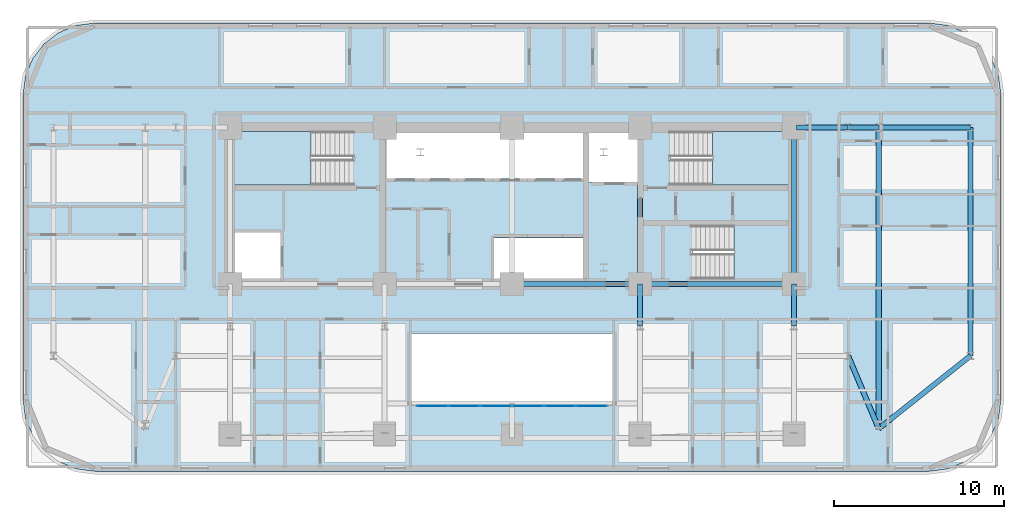
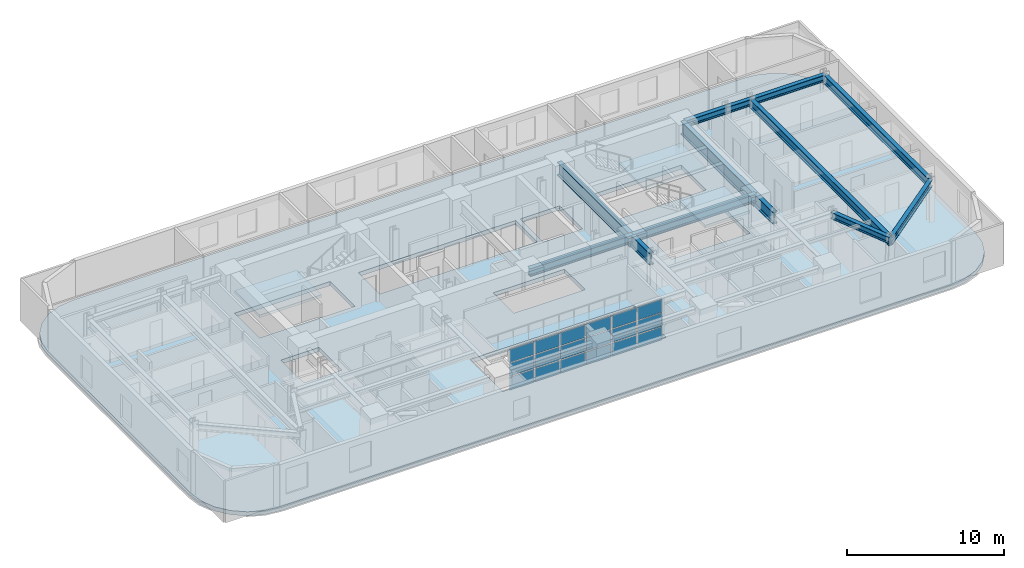
# One storey, part 6 of 16: 18 plates, 13 beams, 4 slabs, 4 elements without a shape of their own.
"""IFC4 building model written with IfcOpenShell, lengths in metres."""

from ifc_helpers import new_model, si_unit, direction, frame, origin, origin_2d, place, context, subcontext, project, spatial, polyline, rectangle, i_section, outline, extrude, material, layer, layer_set, material_profile, profile_set, type_object, element, aggregate, save


model = new_model("IFC4")

# Units and contexts
model_context = context("Model", 3, precision=1e-05, world=origin(), true_north=direction((0.0, 1.0)))
body_context = subcontext(model_context, "Body", "Model", "MODEL_VIEW")
ifc_project = project(units=[si_unit("LENGTHUNIT", "METRE"), si_unit("AREAUNIT", "SQUARE_METRE"), si_unit("VOLUMEUNIT", "CUBIC_METRE"), si_unit("PLANEANGLEUNIT", "RADIAN"), si_unit("MASSUNIT", "GRAM", prefix="KILO")], contexts=[model_context])

# Site, building, storey
site_placement = place(None, origin())
site = spatial("IfcSite", under=ifc_project, at=site_placement, CompositionType="ELEMENT")
building_placement = place(site_placement, origin())
building = spatial("IfcBuilding", under=site, at=building_placement, Name="Zarnavel Station Tower", CompositionType="ELEMENT")
storey_placement = place(building_placement, frame((0.0, 0.0, 79.300048828125)))
storey = spatial("IfcBuildingStorey", under=building, at=storey_placement, Name="L21", CompositionType="ELEMENT", Elevation=79.300048828125)

# Beams
ifc_material_1 = material(Name="Steel S355J2", Category="steel")
ifc_material_profile_1 = material_profile(ifc_material_1, i_section(OverallWidth=0.300048828125, OverallDepth=0.5, WebThickness=0.014404296875, FlangeThickness=0.028076171875, FilletRadius=0.027099609375, at=origin_2d()), Name="HEB500")
ifc_profile_set_1 = profile_set([ifc_material_profile_1], Name="Steel S355J2")
beam_type_1 = type_object("IfcBeamType", Name="FG_HEB500", PredefinedType="USERDEFINED", material=ifc_profile_set_1)
beam_1_placement = place(storey_placement, frame((45.544921875, 37.050048828125, 2.989990234375), z_axis=(1.0, 0.0, 0.0), x_axis=(0.0, 1.0, 0.0)))
element("IfcBeam", 1, at=beam_1_placement, inside=storey, type_object=beam_type_1, Name="L21 East Wing North Tie 1", ObjectType="GIRDER", PredefinedType="USERDEFINED", context=body_context, shape_type="SweptSolid", body=[
    extrude(i_section(OverallWidth=0.300048828125, OverallDepth=0.5, WebThickness=0.014404296875, FlangeThickness=0.028076171875, FilletRadius=0.027099609375, at=origin_2d()), origin(), (0.0, 0.0, 1.0), 3.05517578125),
])
beam_2_placement = place(storey_placement, frame((48.60009765625, 23.60009765625, 2.989990234375), z_axis=(0.386771294184, -0.922175669813, 0.0), x_axis=(0.922175669813, 0.386771294184, 0.0)))
element("IfcBeam", 2, at=beam_2_placement, inside=storey, type_object=beam_type_1, Name="L21 East Wing South Tie 2", ObjectType="GIRDER", PredefinedType="USERDEFINED", context=body_context, shape_type="SweptSolid", body=[
    extrude(i_section(OverallWidth=0.300048828125, OverallDepth=0.5, WebThickness=0.014404296875, FlangeThickness=0.028076171875, FilletRadius=0.027099609375, at=origin_2d()), origin(), (0.0, 0.0, 1.0), 4.6533203125),
])
beam_3_placement = place(storey_placement, frame((48.60009765625, 37.050048828125, 2.989990234375), z_axis=(1.0, 0.0, 0.0), x_axis=(0.0, 1.0, 0.0)))
element("IfcBeam", 3, at=beam_3_placement, inside=storey, type_object=beam_type_1, Name="L21 East Wing North Tie 2", ObjectType="GIRDER", PredefinedType="USERDEFINED", context=body_context, shape_type="SweptSolid", body=[
    extrude(i_section(OverallWidth=0.300048828125, OverallDepth=0.5, WebThickness=0.014404296875, FlangeThickness=0.028076171875, FilletRadius=0.027099609375, at=origin_2d()), origin(), (0.0, 0.0, 1.0), 1.7998046875),
])
beam_4_placement = place(storey_placement, frame((50.39990234375, 19.308837890625, 2.989990234375), z_axis=(0.782905475348, 0.622140672734, 0.0), x_axis=(-0.622140672734, 0.782905475348, 0.0)))
element("IfcBeam", 4, at=beam_4_placement, inside=storey, type_object=beam_type_1, Name="L21 East Wing South Tie 3", ObjectType="GIRDER", PredefinedType="USERDEFINED", context=body_context, shape_type="SweptSolid", body=[
    extrude(i_section(OverallWidth=0.300048828125, OverallDepth=0.5, WebThickness=0.014404296875, FlangeThickness=0.028076171875, FilletRadius=0.027099609375, at=origin_2d()), origin(), (0.0, 0.0, 1.0), 6.8974609375),
])
beam_5_placement = place(storey_placement, frame((50.39990234375, 37.050048828125, 2.989990234375), z_axis=(1.0, 0.0, 0.0), x_axis=(0.0, 1.0, 0.0)))
element("IfcBeam", 5, at=beam_5_placement, inside=storey, type_object=beam_type_1, Name="L21 East Wing North Tie 3", ObjectType="GIRDER", PredefinedType="USERDEFINED", context=body_context, shape_type="SweptSolid", body=[
    extrude(i_section(OverallWidth=0.300048828125, OverallDepth=0.5, WebThickness=0.014404296875, FlangeThickness=0.028076171875, FilletRadius=0.027099609375, at=origin_2d()), origin(), (0.0, 0.0, 1.0), 5.400146484375),
])
ifc_material_2 = material(Name="Steel S355J2", Category="steel")
ifc_material_profile_2 = material_profile(ifc_material_2, i_section(OverallWidth=0.300048828125, OverallDepth=0.60009765625, WebThickness=0.015380859375, FlangeThickness=0.030029296875, FilletRadius=0.027099609375, at=origin_2d()), Name="HEB600")
ifc_profile_set_2 = profile_set([ifc_material_profile_2], Name="Steel S355J2")
beam_type_2 = type_object("IfcBeamType", Name="FG_HEB600", PredefinedType="USERDEFINED", material=ifc_profile_set_2)
beam_6_placement = place(storey_placement, frame((28.800048828125, 27.820068359375, 2.93994140625), z_axis=(1.0, 0.0, 0.0), x_axis=(0.0, 1.0, 0.0)))
element("IfcBeam", 6, at=beam_6_placement, inside=storey, type_object=beam_type_2, Name="L21 Core Front Coupling Beam 3", ObjectType="GIRDER", PredefinedType="USERDEFINED", context=body_context, shape_type="SweptSolid", body=[
    extrude(i_section(OverallWidth=0.300048828125, OverallDepth=0.60009765625, WebThickness=0.015380859375, FlangeThickness=0.030029296875, FilletRadius=0.027099609375, at=origin_2d()), origin(), (0.0, 0.0, 1.0), 7.550048828125),
])
beam_7_placement = place(storey_placement, frame((36.35009765625, 27.820068359375, 2.93994140625), z_axis=(1.0, 0.0, 0.0), x_axis=(0.0, 1.0, 0.0)))
element("IfcBeam", 7, at=beam_7_placement, inside=storey, type_object=beam_type_2, Name="L21 Core Front Coupling Beam 4", ObjectType="GIRDER", PredefinedType="USERDEFINED", context=body_context, shape_type="SweptSolid", body=[
    extrude(i_section(OverallWidth=0.300048828125, OverallDepth=0.60009765625, WebThickness=0.015380859375, FlangeThickness=0.030029296875, FilletRadius=0.027099609375, at=origin_2d()), origin(), (0.0, 0.0, 1.0), 9.0498046875),
])
ifc_material_3 = material(Name="Steel S355J2", Category="steel")
ifc_material_profile_3 = material_profile(ifc_material_3, i_section(OverallWidth=0.300048828125, OverallDepth=0.64990234375, WebThickness=0.01611328125, FlangeThickness=0.031005859375, FilletRadius=0.027099609375, at=origin_2d()), Name="HEB650")
ifc_profile_set_3 = profile_set([ifc_material_profile_3], Name="Steel S355J2")
beam_type_3 = type_object("IfcBeamType", Name="FG_HEB650", PredefinedType="USERDEFINED", material=ifc_profile_set_3)
beam_8_placement = place(storey_placement, frame((50.39990234375, 19.308837890625, 2.9150390625), z_axis=(0.0, 1.0, 0.0), x_axis=(-1.0, 0.0, 0.0)))
element("IfcBeam", 8, at=beam_8_placement, inside=storey, type_object=beam_type_3, Name="L21 Wing NS Girder 3", ObjectType="GIRDER", PredefinedType="USERDEFINED", context=body_context, shape_type="SweptSolid", body=[
    extrude(i_section(OverallWidth=0.300048828125, OverallDepth=0.64990234375, WebThickness=0.01611328125, FlangeThickness=0.031005859375, FilletRadius=0.027099609375, at=origin_2d()), origin(), (0.0, 0.0, 1.0), 17.7412109375),
])
beam_9_placement = place(storey_placement, frame((55.800048828125, 23.60009765625, 2.9150390625), z_axis=(0.0, 1.0, 0.0), x_axis=(-1.0, 0.0, 0.0)))
element("IfcBeam", 9, at=beam_9_placement, inside=storey, type_object=beam_type_3, Name="L21 Wing NS Girder 4", ObjectType="GIRDER", PredefinedType="USERDEFINED", context=body_context, shape_type="SweptSolid", body=[
    extrude(i_section(OverallWidth=0.300048828125, OverallDepth=0.64990234375, WebThickness=0.01611328125, FlangeThickness=0.031005859375, FilletRadius=0.027099609375, at=origin_2d()), origin(), (0.0, 0.0, 1.0), 13.449951171875),
])
ifc_material_4 = material(Name="Steel S460M", Category="steel")
ifc_material_profile_4 = material_profile(ifc_material_4, i_section(OverallWidth=0.302001953125, OverallDepth=1.008056640625, WebThickness=0.02099609375, FlangeThickness=0.0400390625, FilletRadius=0.030029296875, at=origin_2d()), Name="HEM1000")
ifc_profile_set_4 = profile_set([ifc_material_profile_4], Name="Steel S460M")
beam_type_4 = type_object("IfcBeamType", Name="TG_HEM1000", PredefinedType="USERDEFINED", material=ifc_profile_set_4)
for number, where, z_axis, x_axis, name in (
    (10, (36.35009765625, 27.820068359375, 2.73583984375), (0.0, 1.0, 0.0), (-1.0, 0.0, 0.0), "L21 Core Spine Coupling Girder 4"),
    (11, (45.39990234375, 27.820068359375, 2.73583984375), (0.0, 1.0, 0.0), (-1.0, 0.0, 0.0), "L21 Core Spine Coupling Girder 5"),
):
    element("IfcBeam", number, at=place(storey_placement, frame(where, z_axis=z_axis, x_axis=x_axis)), inside=storey, type_object=beam_type_4, Name=name, ObjectType="GIRDER", PredefinedType="USERDEFINED", context=body_context, shape_type="SweptSolid", body=[
        extrude(i_section(OverallWidth=0.302001953125, OverallDepth=1.008056640625, WebThickness=0.02099609375, FlangeThickness=0.0400390625, FilletRadius=0.030029296875, at=origin_2d()), origin(), (0.0, 0.0, 1.0), 9.22998046875),
    ])
ifc_material_5 = material(Name="Steel S460M", Category="steel")
ifc_material_profile_5 = material_profile(ifc_material_5, i_section(OverallWidth=0.302001953125, OverallDepth=0.909912109375, WebThickness=0.02099609375, FlangeThickness=0.0400390625, FilletRadius=0.030029296875, at=origin_2d()), Name="HEM900")
ifc_profile_set_5 = profile_set([ifc_material_profile_5], Name="Steel S460M")
beam_type_5 = type_object("IfcBeamType", Name="TG_HEM900", PredefinedType="USERDEFINED", material=ifc_profile_set_5)
for number, where, z_axis, x_axis, name in (
    (12, (36.35009765625, 25.35009765625, 2.784912109375), (0.0, 1.0, 0.0), (-1.0, 0.0, 0.0), "L21 Inner-Zone NS Girder 4"),
    (13, (45.39990234375, 25.35009765625, 2.784912109375), (0.0, 1.0, 0.0), (-1.0, 0.0, 0.0), "L21 Inner-Zone NS Girder 5"),
):
    element("IfcBeam", number, at=place(storey_placement, frame(where, z_axis=z_axis, x_axis=x_axis)), inside=storey, type_object=beam_type_5, Name=name, ObjectType="GIRDER", PredefinedType="USERDEFINED", context=body_context, shape_type="SweptSolid", body=[
        extrude(i_section(OverallWidth=0.302001953125, OverallDepth=0.909912109375, WebThickness=0.02099609375, FlangeThickness=0.0400390625, FilletRadius=0.030029296875, at=origin_2d()), origin(), (0.0, 0.0, 1.0), 2.469970703125),
    ])

# Curtain wall, plates
ifc_material_6 = material(Name="Aluminium Dark Anodised and Solar-Control Glass", Category="aluminium")
ifc_layer_1 = layer(ifc_material_6, 0.179931640625)
ifc_layer_set_1 = layer_set([ifc_layer_1], Name="CWS3")
curtain_wall_type = type_object("IfcCurtainWallType", Name="CWS3", PredefinedType="NOTDEFINED", material=ifc_layer_set_1)
curtain_wall_placement = place(storey_placement, origin())
curtain_wall = element("IfcCurtainWall", 14, at=curtain_wall_placement, inside=storey, type_object=curtain_wall_type, Name="L21 Curtain Wall CWS3-L21-AS", PredefinedType="NOTDEFINED")
ifc_material_7 = material(Name="Double Low-E Dark Solar-Control Glass", Category="glass")
ifc_layer_2 = layer(ifc_material_7, 0.030029296875)
ifc_layer_set_2 = layer_set([ifc_layer_2], Name="CWS3_PNL")
plate_type = type_object("IfcPlateType", Name="CWS3_PNL", PredefinedType="CURTAIN_PANEL", material=ifc_layer_set_2)
plate_1_placement = place(storey_placement, frame((24.106689453125, 20.64990234375, 0.06005859375), z_axis=(0.0, 0.0, 1.0), x_axis=(1.0, 0.0, 0.0)))
plate_1 = element("IfcPlate", 15, at=plate_1_placement, type_object=plate_type, Name="CW3 panel 1.1", PredefinedType="CURTAIN_PANEL", context=body_context, shape_type="SweptSolid", body=[
    extrude(rectangle(XDim=1.793212890625, YDim=0.028076171875, at=origin_2d()), origin(), (0.0, 0.0, 1.0), 0.989990234375),
])
plate_2_placement = place(storey_placement, frame((24.106689453125, 20.64990234375, 1.10986328125), z_axis=(0.0, 0.0, 1.0), x_axis=(1.0, 0.0, 0.0)))
plate_2 = element("IfcPlate", 16, at=plate_2_placement, type_object=plate_type, Name="CW3 panel 1.2", PredefinedType="CURTAIN_PANEL", context=body_context, shape_type="SweptSolid", body=[
    extrude(rectangle(XDim=1.793212890625, YDim=0.028076171875, at=origin_2d()), origin(), (0.0, 0.0, 1.0), 1.02001953125),
])
plate_3_placement = place(storey_placement, frame((24.106689453125, 20.64990234375, 2.18994140625), z_axis=(0.0, 0.0, 1.0), x_axis=(1.0, 0.0, 0.0)))
plate_3 = element("IfcPlate", 17, at=plate_3_placement, type_object=plate_type, Name="CW3 panel 1.3", PredefinedType="CURTAIN_PANEL", context=body_context, shape_type="SweptSolid", body=[
    extrude(rectangle(XDim=1.793212890625, YDim=0.028076171875, at=origin_2d()), origin(), (0.0, 0.0, 1.0), 0.989990234375),
])
plate_4_placement = place(storey_placement, frame((25.97509765625, 20.64990234375, 0.06005859375), z_axis=(0.0, 0.0, 1.0), x_axis=(1.0, 0.0, 0.0)))
plate_4 = element("IfcPlate", 18, at=plate_4_placement, type_object=plate_type, Name="CW3 panel 2.1", PredefinedType="CURTAIN_PANEL", context=body_context, shape_type="SweptSolid", body=[
    extrude(rectangle(XDim=1.8232421875, YDim=0.028076171875, at=origin_2d()), origin(), (0.0, 0.0, 1.0), 0.989990234375),
])
plate_5_placement = place(storey_placement, frame((25.97509765625, 20.64990234375, 1.10986328125), z_axis=(0.0, 0.0, 1.0), x_axis=(1.0, 0.0, 0.0)))
plate_5 = element("IfcPlate", 19, at=plate_5_placement, type_object=plate_type, Name="CW3 panel 2.2", PredefinedType="CURTAIN_PANEL", context=body_context, shape_type="SweptSolid", body=[
    extrude(rectangle(XDim=1.8232421875, YDim=0.028076171875, at=origin_2d()), origin(), (0.0, 0.0, 1.0), 1.02001953125),
])
plate_6_placement = place(storey_placement, frame((25.97509765625, 20.64990234375, 2.18994140625), z_axis=(0.0, 0.0, 1.0), x_axis=(1.0, 0.0, 0.0)))
plate_6 = element("IfcPlate", 20, at=plate_6_placement, type_object=plate_type, Name="CW3 panel 2.3", PredefinedType="CURTAIN_PANEL", context=body_context, shape_type="SweptSolid", body=[
    extrude(rectangle(XDim=1.8232421875, YDim=0.028076171875, at=origin_2d()), origin(), (0.0, 0.0, 1.0), 0.989990234375),
])
plate_7_placement = place(storey_placement, frame((27.8583984375, 20.64990234375, 0.06005859375), z_axis=(0.0, 0.0, 1.0), x_axis=(1.0, 0.0, 0.0)))
plate_7 = element("IfcPlate", 21, at=plate_7_placement, type_object=plate_type, Name="CW3 panel 3.1", PredefinedType="CURTAIN_PANEL", context=body_context, shape_type="SweptSolid", body=[
    extrude(rectangle(XDim=1.8232421875, YDim=0.028076171875, at=origin_2d()), origin(), (0.0, 0.0, 1.0), 0.989990234375),
])
plate_8_placement = place(storey_placement, frame((27.8583984375, 20.64990234375, 1.10986328125), z_axis=(0.0, 0.0, 1.0), x_axis=(1.0, 0.0, 0.0)))
plate_8 = element("IfcPlate", 22, at=plate_8_placement, type_object=plate_type, Name="CW3 panel 3.2", PredefinedType="CURTAIN_PANEL", context=body_context, shape_type="SweptSolid", body=[
    extrude(rectangle(XDim=1.8232421875, YDim=0.028076171875, at=origin_2d()), origin(), (0.0, 0.0, 1.0), 1.02001953125),
])
plate_9_placement = place(storey_placement, frame((27.8583984375, 20.64990234375, 2.18994140625), z_axis=(0.0, 0.0, 1.0), x_axis=(1.0, 0.0, 0.0)))
plate_9 = element("IfcPlate", 23, at=plate_9_placement, type_object=plate_type, Name="CW3 panel 3.3", PredefinedType="CURTAIN_PANEL", context=body_context, shape_type="SweptSolid", body=[
    extrude(rectangle(XDim=1.8232421875, YDim=0.028076171875, at=origin_2d()), origin(), (0.0, 0.0, 1.0), 0.989990234375),
])
plate_10_placement = place(storey_placement, frame((29.74169921875, 20.64990234375, 0.06005859375), z_axis=(0.0, 0.0, 1.0), x_axis=(1.0, 0.0, 0.0)))
plate_10 = element("IfcPlate", 24, at=plate_10_placement, type_object=plate_type, Name="CW3 panel 4.1", PredefinedType="CURTAIN_PANEL", context=body_context, shape_type="SweptSolid", body=[
    extrude(rectangle(XDim=1.8232421875, YDim=0.028076171875, at=origin_2d()), origin(), (0.0, 0.0, 1.0), 0.989990234375),
])
plate_11_placement = place(storey_placement, frame((29.74169921875, 20.64990234375, 1.10986328125), z_axis=(0.0, 0.0, 1.0), x_axis=(1.0, 0.0, 0.0)))
plate_11 = element("IfcPlate", 25, at=plate_11_placement, type_object=plate_type, Name="CW3 panel 4.2", PredefinedType="CURTAIN_PANEL", context=body_context, shape_type="SweptSolid", body=[
    extrude(rectangle(XDim=1.8232421875, YDim=0.028076171875, at=origin_2d()), origin(), (0.0, 0.0, 1.0), 1.02001953125),
])
plate_12_placement = place(storey_placement, frame((29.74169921875, 20.64990234375, 2.18994140625), z_axis=(0.0, 0.0, 1.0), x_axis=(1.0, 0.0, 0.0)))
plate_12 = element("IfcPlate", 26, at=plate_12_placement, type_object=plate_type, Name="CW3 panel 4.3", PredefinedType="CURTAIN_PANEL", context=body_context, shape_type="SweptSolid", body=[
    extrude(rectangle(XDim=1.8232421875, YDim=0.028076171875, at=origin_2d()), origin(), (0.0, 0.0, 1.0), 0.989990234375),
])
plate_13_placement = place(storey_placement, frame((31.625, 20.64990234375, 0.06005859375), z_axis=(0.0, 0.0, 1.0), x_axis=(1.0, 0.0, 0.0)))
plate_13 = element("IfcPlate", 27, at=plate_13_placement, type_object=plate_type, Name="CW3 panel 5.1", PredefinedType="CURTAIN_PANEL", context=body_context, shape_type="SweptSolid", body=[
    extrude(rectangle(XDim=1.8232421875, YDim=0.028076171875, at=origin_2d()), origin(), (0.0, 0.0, 1.0), 0.989990234375),
])
plate_14_placement = place(storey_placement, frame((31.625, 20.64990234375, 1.10986328125), z_axis=(0.0, 0.0, 1.0), x_axis=(1.0, 0.0, 0.0)))
plate_14 = element("IfcPlate", 28, at=plate_14_placement, type_object=plate_type, Name="CW3 panel 5.2", PredefinedType="CURTAIN_PANEL", context=body_context, shape_type="SweptSolid", body=[
    extrude(rectangle(XDim=1.8232421875, YDim=0.028076171875, at=origin_2d()), origin(), (0.0, 0.0, 1.0), 1.02001953125),
])
plate_15_placement = place(storey_placement, frame((31.625, 20.64990234375, 2.18994140625), z_axis=(0.0, 0.0, 1.0), x_axis=(1.0, 0.0, 0.0)))
plate_15 = element("IfcPlate", 29, at=plate_15_placement, type_object=plate_type, Name="CW3 panel 5.3", PredefinedType="CURTAIN_PANEL", context=body_context, shape_type="SweptSolid", body=[
    extrude(rectangle(XDim=1.8232421875, YDim=0.028076171875, at=origin_2d()), origin(), (0.0, 0.0, 1.0), 0.989990234375),
])
plate_16_placement = place(storey_placement, frame((33.493408203125, 20.64990234375, 0.06005859375), z_axis=(0.0, 0.0, 1.0), x_axis=(1.0, 0.0, 0.0)))
plate_16 = element("IfcPlate", 30, at=plate_16_placement, type_object=plate_type, Name="CW3 panel 6.1", PredefinedType="CURTAIN_PANEL", context=body_context, shape_type="SweptSolid", body=[
    extrude(rectangle(XDim=1.793212890625, YDim=0.028076171875, at=origin_2d()), origin(), (0.0, 0.0, 1.0), 0.989990234375),
])
plate_17_placement = place(storey_placement, frame((33.493408203125, 20.64990234375, 1.10986328125), z_axis=(0.0, 0.0, 1.0), x_axis=(1.0, 0.0, 0.0)))
plate_17 = element("IfcPlate", 31, at=plate_17_placement, type_object=plate_type, Name="CW3 panel 6.2", PredefinedType="CURTAIN_PANEL", context=body_context, shape_type="SweptSolid", body=[
    extrude(rectangle(XDim=1.793212890625, YDim=0.028076171875, at=origin_2d()), origin(), (0.0, 0.0, 1.0), 1.02001953125),
])
plate_18_placement = place(storey_placement, frame((33.493408203125, 20.64990234375, 2.18994140625), z_axis=(0.0, 0.0, 1.0), x_axis=(1.0, 0.0, 0.0)))
plate_18 = element("IfcPlate", 32, at=plate_18_placement, type_object=plate_type, Name="CW3 panel 6.3", PredefinedType="CURTAIN_PANEL", context=body_context, shape_type="SweptSolid", body=[
    extrude(rectangle(XDim=1.793212890625, YDim=0.028076171875, at=origin_2d()), origin(), (0.0, 0.0, 1.0), 0.989990234375),
])
aggregate(curtain_wall, [plate_1, plate_2, plate_3, plate_4, plate_5, plate_6, plate_7, plate_8, plate_9, plate_10, plate_11, plate_12, plate_13, plate_14, plate_15, plate_16, plate_17, plate_18])

# Slab
ifc_material_8 = material(Name="Concrete C45/55", Category="concrete")
ifc_layer_3 = layer(ifc_material_8, 0.320068359375)
ifc_layer_set_3 = layer_set([ifc_layer_3], Name="SL_FLR_320")
slab_type_1 = type_object("IfcSlabType", Name="SL_FLR_320", PredefinedType="FLOOR", material=ifc_layer_set_3)
slab_1_placement = place(storey_placement, frame((0.0, 0.0, -0.320068359375)))
element("IfcSlab", 33, at=slab_1_placement, inside=storey, type_object=slab_type_1, Name="L21 Structural Floor Slab", PredefinedType="FLOOR", context=body_context, shape_type="SweptSolid", body=[
    extrude(outline(polyline([(53.39990234375, 16.800048828125), (54.487060546875, 16.943115234375), (55.5, 17.36279296875), (56.369873046875, 18.0302734375), (57.037353515625, 18.89990234375), (57.456787109375, 19.9130859375), (57.60009765625, 21.0), (57.60009765625, 39.0), (57.456787109375, 40.0869140625), (57.037353515625, 41.10009765625), (56.369873046875, 41.9697265625), (55.5, 42.63720703125), (54.487060546875, 43.056884765625), (53.39990234375, 43.199951171875), (4.199951171875, 43.199951171875), (3.113037109375, 43.056884765625), (2.10009765625, 42.63720703125), (1.230224609375, 41.9697265625), (0.562744140625, 41.10009765625), (0.14306640625, 40.0869140625), (0.0, 39.0), (0.0, 21.0), (0.14306640625, 19.9130859375), (0.562744140625, 18.89990234375), (1.230224609375, 18.0302734375), (2.10009765625, 17.36279296875), (3.113037109375, 16.943115234375), (4.199951171875, 16.800048828125), (53.39990234375, 16.800048828125)]), holes=[polyline([(12.39990234375, 33.659912109375), (19.409912109375, 33.659912109375), (19.409912109375, 36.820068359375), (12.39990234375, 36.820068359375), (12.39990234375, 33.659912109375)]), polyline([(38.14990234375, 33.659912109375), (45.159912109375, 33.659912109375), (45.159912109375, 36.820068359375), (38.14990234375, 36.820068359375), (38.14990234375, 33.659912109375)]), polyline([(39.419921875, 28.1201171875), (45.14990234375, 28.1201171875), (45.14990234375, 31.280029296875), (39.419921875, 31.280029296875), (39.419921875, 28.1201171875)]), polyline([(12.35009765625, 27.949951171875), (15.14990234375, 27.949951171875), (15.14990234375, 30.85009765625), (12.35009765625, 30.85009765625), (12.35009765625, 27.949951171875)]), polyline([(33.320068359375, 33.85009765625), (36.2099609375, 33.85009765625), (36.2099609375, 36.780029296875), (33.320068359375, 36.780029296875), (33.320068359375, 33.85009765625)]), polyline([(21.449951171875, 34.050048828125), (32.97998046875, 34.050048828125), (32.97998046875, 36.780029296875), (21.449951171875, 36.780029296875), (21.449951171875, 34.050048828125)]), polyline([(27.75, 27.949951171875), (32.97998046875, 27.949951171875), (32.97998046875, 30.550048828125), (27.75, 30.550048828125), (27.75, 27.949951171875)]), polyline([(22.800048828125, 20.800048828125), (34.800048828125, 20.800048828125), (34.800048828125, 24.89990234375), (22.800048828125, 24.89990234375), (22.800048828125, 20.800048828125)])]), origin(), (0.0, 0.0, 1.0), 0.320068359375),
])

# Stair, slab
ifc_material_9 = material(Name="Concrete C45/55", Category="concrete")
stair_type = type_object("IfcStairType", Name="ST_CORE_150", PredefinedType="HALF_TURN_STAIR", material=ifc_material_9)
stair_1_placement = place(storey_placement, origin())
stair_1 = element("IfcStair", 34, at=stair_1_placement, inside=storey, type_object=stair_type, Name="L21 Core Exit Stair ST1", PredefinedType="HALF_TURN_STAIR")
ifc_material_10 = material(Name="Concrete C45/55", Category="concrete")
ifc_layer_4 = layer(ifc_material_10, 0.199951171875)
ifc_layer_set_4 = layer_set([ifc_layer_4], Name="SL_STAIR_LAND_200")
slab_type_2 = type_object("IfcSlabType", Name="SL_STAIR_LAND_200", PredefinedType="LANDING", material=ifc_layer_set_4)
slab_2_placement = place(storey_placement, frame((0.0, 0.0, 1.550048828125)))
slab_2 = element("IfcSlab", 35, at=slab_2_placement, type_object=slab_type_2, Name="ST1 landing 1", PredefinedType="LANDING", context=body_context, shape_type="SweptSolid", body=[
    extrude(outline(polyline([(16.9599609375, 36.820068359375), (12.39990234375, 36.820068359375), (12.39990234375, 33.659912109375), (16.9599609375, 33.659912109375), (16.9599609375, 36.820068359375)])), origin(), (0.0, 0.0, 1.0), 0.199951171875),
])
aggregate(stair_1, [slab_2])

stair_2_placement = place(storey_placement, origin())
stair_2 = element("IfcStair", 36, at=stair_2_placement, inside=storey, type_object=stair_type, Name="L21 Core Exit Stair ST2", PredefinedType="HALF_TURN_STAIR")
slab_3_placement = place(storey_placement, frame((0.0, 0.0, 1.550048828125)))
slab_3 = element("IfcSlab", 37, at=slab_3_placement, type_object=slab_type_2, Name="ST2 landing 1", PredefinedType="LANDING", context=body_context, shape_type="SweptSolid", body=[
    extrude(outline(polyline([(40.60009765625, 33.659912109375), (45.159912109375, 33.659912109375), (45.159912109375, 36.820068359375), (40.60009765625, 36.820068359375), (40.60009765625, 33.659912109375)])), origin(), (0.0, 0.0, 1.0), 0.199951171875),
])
aggregate(stair_2, [slab_3])

stair_3_placement = place(storey_placement, origin())
stair_3 = element("IfcStair", 38, at=stair_3_placement, inside=storey, type_object=stair_type, Name="L21 Core Exit Stair ST3", PredefinedType="HALF_TURN_STAIR")
slab_4_placement = place(storey_placement, frame((0.0, 0.0, 1.550048828125)))
slab_4 = element("IfcSlab", 39, at=slab_4_placement, type_object=slab_type_2, Name="ST3 landing 1", PredefinedType="LANDING", context=body_context, shape_type="SweptSolid", body=[
    extrude(outline(polyline([(41.8701171875, 28.1201171875), (45.14990234375, 28.1201171875), (45.14990234375, 31.280029296875), (41.8701171875, 31.280029296875), (41.8701171875, 28.1201171875)])), origin(), (0.0, 0.0, 1.0), 0.199951171875),
])
aggregate(stair_3, [slab_4])

save(model, "model.ifc")
